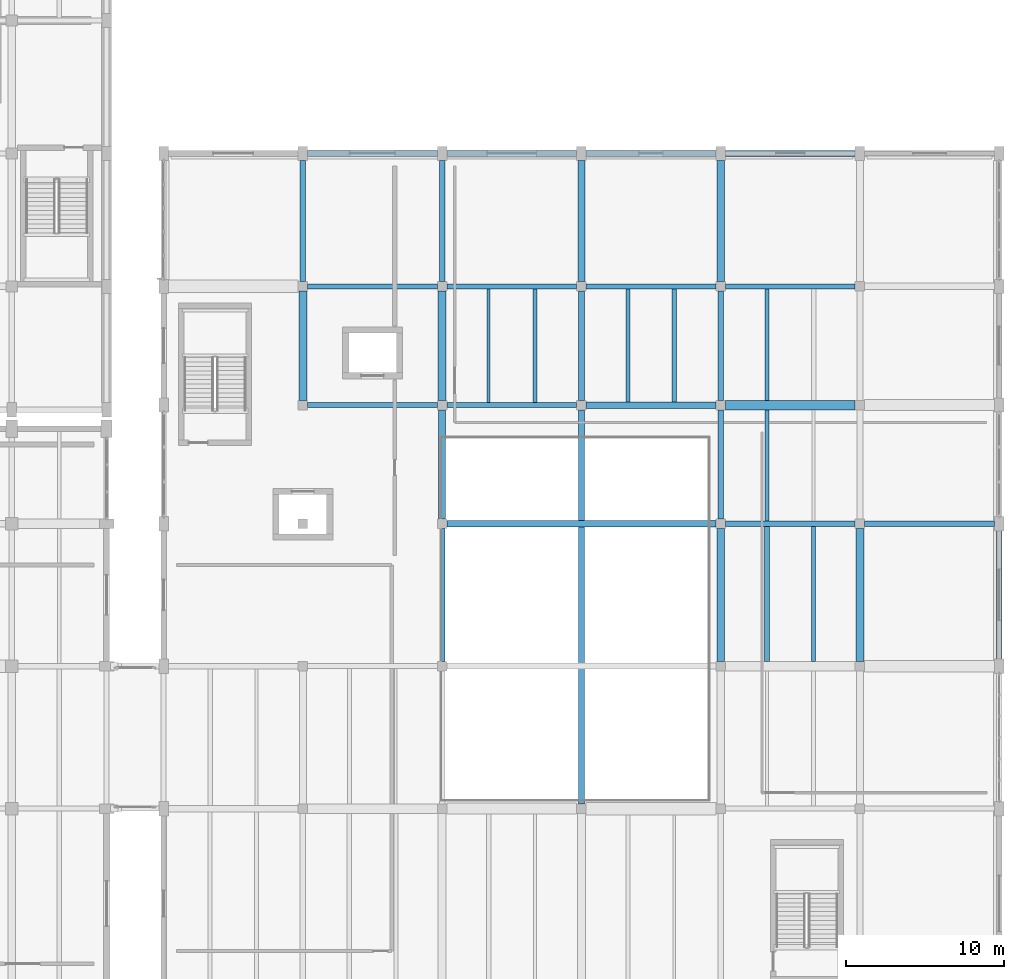
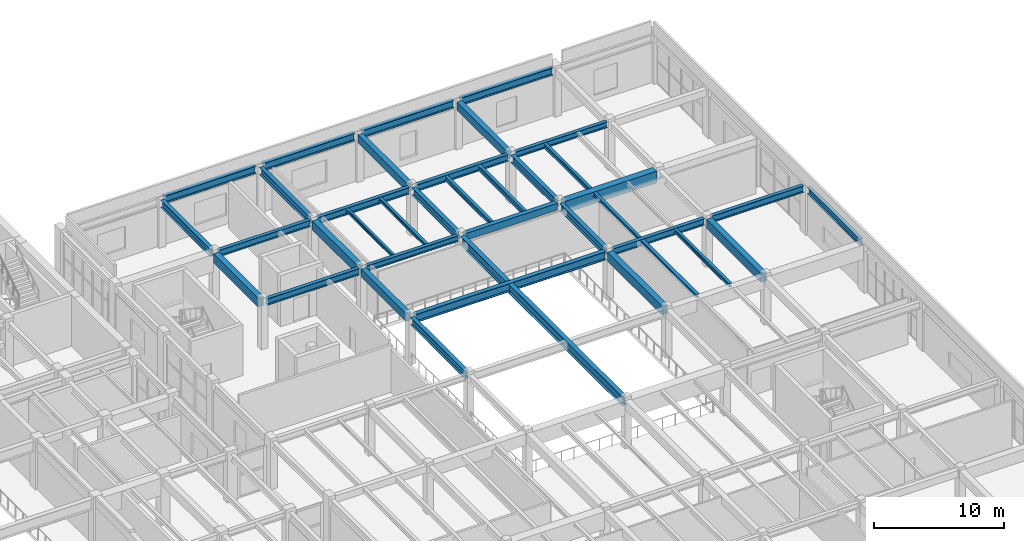
# One storey, part 58 of 96: 38 beams.
"""IFC4 building model written with IfcOpenShell, lengths in metres."""

from ifc_helpers import new_model, si_unit, direction, frame, origin, origin_2d, place, context, subcontext, project, spatial, rectangle, i_section, extrude, material, material_profile, profile_set, type_object, element, save


model = new_model("IFC4")

# Units and contexts
model_context = context("Model", 3, precision=1e-05, world=origin(), true_north=direction((0.0, 1.0)))
body_context = subcontext(model_context, "Body", "Model", "MODEL_VIEW")
ifc_project = project(units=[si_unit("LENGTHUNIT", "METRE"), si_unit("AREAUNIT", "SQUARE_METRE"), si_unit("VOLUMEUNIT", "CUBIC_METRE"), si_unit("PLANEANGLEUNIT", "RADIAN"), si_unit("MASSUNIT", "GRAM", prefix="KILO")], contexts=[model_context])

# Site, building, storey
site_placement = place(None, origin())
site = spatial("IfcSite", under=ifc_project, at=site_placement, CompositionType="ELEMENT")
building_placement = place(site_placement, origin())
building = spatial("IfcBuilding", under=site, at=building_placement, Name="Vaelkrest Opera House", CompositionType="ELEMENT")
storey_placement = place(building_placement, frame((0.0, 0.0, 5.39990234375)))
storey = spatial("IfcBuildingStorey", under=building, at=storey_placement, Name="L01", CompositionType="ELEMENT", Elevation=5.39990234375)

# Beams
ifc_material_1 = material(Name="Concrete C50/60", Category="concrete")
ifc_material_profile_1 = material_profile(ifc_material_1, rectangle(XDim=0.39990234375, YDim=0.64990234375, at=origin_2d()), Name="RCB400X650")
ifc_profile_set_1 = profile_set([ifc_material_profile_1], Name="Concrete C50/60")
beam_type_1 = type_object("IfcBeamType", Name="B01", PredefinedType="BEAM", material=ifc_profile_set_1)
beam_1_placement = place(storey_placement, frame((60.300048828125, 17.699951171875, 4.175048828125), z_axis=(1.0, 0.0, 0.0), x_axis=(0.0, 1.0, 0.0)))
element("IfcBeam", 1, at=beam_1_placement, inside=storey, type_object=beam_type_1, Name="Beam BM-V4-L01-2149", PredefinedType="BEAM", context=body_context, shape_type="SweptSolid", body=[
    extrude(rectangle(XDim=0.39990234375, YDim=0.64990234375, at=origin_2d()), origin(), (0.0, 0.0, 1.0), 8.199951171875),
])
ifc_material_profile_2 = material_profile(ifc_material_1, rectangle(XDim=0.449951171875, YDim=0.75, at=origin_2d()), Name="RCB450X750")
ifc_profile_set_2 = profile_set([ifc_material_profile_2], Name="Concrete C50/60")
beam_type_2 = type_object("IfcBeamType", Name="B02", PredefinedType="BEAM", material=ifc_profile_set_2)
beam_2_placement = place(storey_placement, frame((51.199951171875, 10.5, 4.125), z_axis=(0.0, 1.0, 0.0), x_axis=(-1.0, 0.0, 0.0)))
element("IfcBeam", 2, at=beam_2_placement, inside=storey, type_object=beam_type_2, Name="Beam BM-V4-L01-2183", PredefinedType="BEAM", context=body_context, shape_type="SweptSolid", body=[
    extrude(rectangle(XDim=0.449951171875, YDim=0.75, at=origin_2d()), origin(), (0.0, 0.0, 1.0), 6.89990234375),
])
for number, where, z_axis, x_axis, name in (
    (3, (60.0, 25.5, 4.130126953125), (0.0, 1.0, 0.0), (-1.0, 0.0, 0.0), "Beam BM-V4-L01-2191"),
    (4, (68.800048828125, 25.5, 4.130126953125), (0.0, 1.0, 0.0), (-1.0, 0.0, 0.0), "Beam BM-V4-L01-2199"),
):
    element("IfcBeam", number, at=place(storey_placement, frame(where, z_axis=z_axis, x_axis=x_axis)), inside=storey, type_object=beam_type_2, Name=name, PredefinedType="BEAM", context=body_context, shape_type="SweptSolid", body=[
        extrude(rectangle(XDim=0.449951171875, YDim=0.75, at=origin_2d()), origin(), (0.0, 0.0, 1.0), 7.64990234375),
    ])
ifc_material_profile_3 = material_profile(ifc_material_1, rectangle(XDim=0.5, YDim=0.85009765625, at=origin_2d()), Name="RCB500X850")
ifc_profile_set_3 = profile_set([ifc_material_profile_3], Name="Concrete C50/60")
beam_type_3 = type_object("IfcBeamType", Name="B03", PredefinedType="BEAM", material=ifc_profile_set_3)
for number, where, z_axis, x_axis, name in (
    (5, (42.39990234375, 18.0, 4.0751953125), (0.0, 1.0, 0.0), (-1.0, 0.0, 0.0), "Beam BM-V4-L01-2176"),
    (6, (51.199951171875, 18.0, 4.0751953125), (0.0, 1.0, 0.0), (-1.0, 0.0, 0.0), "Beam BM-V4-L01-2184"),
):
    element("IfcBeam", number, at=place(storey_placement, frame(where, z_axis=z_axis, x_axis=x_axis)), inside=storey, type_object=beam_type_3, Name=name, PredefinedType="BEAM", context=body_context, shape_type="SweptSolid", body=[
        extrude(rectangle(XDim=0.5, YDim=0.85009765625, at=origin_2d()), origin(), (0.0, 0.0, 1.0), 6.89990234375),
    ])
for number, where, z_axis, x_axis, name in (
    (7, (68.800048828125, 1.5, 4.0751953125), (0.0, 1.0, 0.0), (-1.0, 0.0, 0.0), "Beam BM-V4-L01-2196"),
    (8, (77.60009765625, 1.5, 4.0751953125), (0.0, 1.0, 0.0), (-1.0, 0.0, 0.0), "Beam BM-V4-L01-2204"),
):
    element("IfcBeam", number, at=place(storey_placement, frame(where, z_axis=z_axis, x_axis=x_axis)), inside=storey, type_object=beam_type_3, Name=name, PredefinedType="BEAM", context=body_context, shape_type="SweptSolid", body=[
        extrude(rectangle(XDim=0.5, YDim=0.85009765625, at=origin_2d()), origin(), (0.0, 0.0, 1.0), 8.39990234375),
    ])
ifc_material_profile_4 = material_profile(ifc_material_1, rectangle(XDim=0.60009765625, YDim=1.10009765625, at=origin_2d()), Name="RCB600X1100")
ifc_profile_set_4 = profile_set([ifc_material_profile_4], Name="Concrete C50/60")
beam_type_4 = type_object("IfcBeamType", Name="B05", PredefinedType="BEAM", material=ifc_profile_set_4)
beam_3_placement = place(storey_placement, frame((69.10009765625, 17.699951171875, 3.9501953125), z_axis=(1.0, 0.0, 0.0), x_axis=(0.0, 1.0, 0.0)))
element("IfcBeam", 9, at=beam_3_placement, inside=storey, type_object=beam_type_4, Name="Beam BM-V4-L01-2150", PredefinedType="BEAM", context=body_context, shape_type="SweptSolid", body=[
    extrude(rectangle(XDim=0.60009765625, YDim=1.10009765625, at=origin_2d()), origin(), (0.0, 0.0, 1.0), 8.199951171875),
])
ifc_material_2 = material(Name="Steel A992 Gr50", Category="steel")
ifc_material_profile_5 = material_profile(ifc_material_2, i_section(OverallWidth=0.323974609375, OverallDepth=0.611083984375, WebThickness=0.0126953125, FlangeThickness=0.01904296875, at=origin_2d()), Name="W24X104")
ifc_profile_set_5 = profile_set([ifc_material_profile_5], Name="Steel A992 Gr50")
beam_type_5 = type_object("IfcBeamType", Name="B08", PredefinedType="BEAM", material=ifc_profile_set_5)
for number, where, z_axis, x_axis, name in (
    (10, (69.10009765625, 10.199951171875, 4.194580078125), (1.0, 0.0, 0.0), (0.0, 1.0, 0.0), "Beam BM-V4-L01-2145"),
    (11, (42.699951171875, 25.199951171875, 4.194580078125), (1.0, 0.0, 0.0), (0.0, 1.0, 0.0), "Beam BM-V4-L01-2153"),
):
    element("IfcBeam", number, at=place(storey_placement, frame(where, z_axis=z_axis, x_axis=x_axis)), inside=storey, type_object=beam_type_5, Name=name, PredefinedType="BEAM", context=body_context, shape_type="SweptSolid", body=[
        extrude(i_section(OverallWidth=0.323974609375, OverallDepth=0.611083984375, WebThickness=0.0126953125, FlangeThickness=0.01904296875, at=origin_2d()), origin(), (0.0, 0.0, 1.0), 8.199951171875),
    ])
ifc_material_profile_6 = material_profile(ifc_material_2, i_section(OverallWidth=0.327880859375, OverallDepth=0.6279296875, WebThickness=0.0166015625, FlangeThickness=0.027587890625, at=origin_2d()), Name="W24X146")
ifc_profile_set_6 = profile_set([ifc_material_profile_6], Name="Steel A992 Gr50")
beam_type_6 = type_object("IfcBeamType", Name="B09", PredefinedType="BEAM", material=ifc_profile_set_6)
beam_4_placement = place(storey_placement, frame((77.89990234375, 10.199951171875, 4.191162109375), z_axis=(1.0, 0.0, 0.0), x_axis=(0.0, 1.0, 0.0)))
element("IfcBeam", 12, at=beam_4_placement, inside=storey, type_object=beam_type_6, Name="Beam BM-V4-L01-2146", PredefinedType="BEAM", context=body_context, shape_type="SweptSolid", body=[
    extrude(i_section(OverallWidth=0.327880859375, OverallDepth=0.6279296875, WebThickness=0.0166015625, FlangeThickness=0.027587890625, at=origin_2d()), origin(), (0.0, 0.0, 1.0), 8.2001953125),
])
beam_5_placement = place(storey_placement, frame((51.5, 25.199951171875, 4.18603515625), z_axis=(1.0, 0.0, 0.0), x_axis=(0.0, 1.0, 0.0)))
element("IfcBeam", 13, at=beam_5_placement, inside=storey, type_object=beam_type_6, Name="Beam BM-V4-L01-2154", PredefinedType="BEAM", context=body_context, shape_type="SweptSolid", body=[
    extrude(i_section(OverallWidth=0.327880859375, OverallDepth=0.6279296875, WebThickness=0.0166015625, FlangeThickness=0.027587890625, at=origin_2d()), origin(), (0.0, 0.0, 1.0), 8.199951171875),
])
ifc_material_profile_7 = material_profile(ifc_material_2, i_section(OverallWidth=0.35498046875, OverallDepth=0.695068359375, WebThickness=0.015380859375, FlangeThickness=0.02490234375, at=origin_2d()), Name="W27X146")
ifc_profile_set_7 = profile_set([ifc_material_profile_7], Name="Steel A992 Gr50")
beam_type_7 = type_object("IfcBeamType", Name="B10", PredefinedType="BEAM", material=ifc_profile_set_7)
for number, where, z_axis, x_axis, name in (
    (14, (42.39990234375, 25.5, 4.15771484375), (0.0, 1.0, 0.0), (-1.0, 0.0, 0.0), "Beam BM-V4-L01-2177"),
    (15, (51.199951171875, 25.5, 4.15771484375), (0.0, 1.0, 0.0), (-1.0, 0.0, 0.0), "Beam BM-V4-L01-2185"),
):
    element("IfcBeam", number, at=place(storey_placement, frame(where, z_axis=z_axis, x_axis=x_axis)), inside=storey, type_object=beam_type_7, Name=name, PredefinedType="BEAM", context=body_context, shape_type="SweptSolid", body=[
        extrude(i_section(OverallWidth=0.35498046875, OverallDepth=0.695068359375, WebThickness=0.015380859375, FlangeThickness=0.02490234375, at=origin_2d()), origin(), (0.0, 0.0, 1.0), 7.64990234375),
    ])
beam_6_placement = place(storey_placement, frame((68.800048828125, 10.5, 4.152587890625), z_axis=(0.0, 1.0, 0.0), x_axis=(-1.0, 0.0, 0.0)))
element("IfcBeam", 16, at=beam_6_placement, inside=storey, type_object=beam_type_7, Name="Beam BM-V4-L01-2197", PredefinedType="BEAM", context=body_context, shape_type="SweptSolid", body=[
    extrude(i_section(OverallWidth=0.35498046875, OverallDepth=0.695068359375, WebThickness=0.015380859375, FlangeThickness=0.02490234375, at=origin_2d()), origin(), (0.0, 0.0, 1.0), 6.89990234375),
])
ifc_material_profile_8 = material_profile(ifc_material_2, i_section(OverallWidth=0.39892578125, OverallDepth=0.85498046875, WebThickness=0.018310546875, FlangeThickness=0.029296875, at=origin_2d()), Name="W33X201")
ifc_profile_set_8 = profile_set([ifc_material_profile_8], Name="Steel A992 Gr50")
beam_type_8 = type_object("IfcBeamType", Name="B12", PredefinedType="BEAM", material=ifc_profile_set_8)
beam_7_placement = place(storey_placement, frame((60.0, -7.5, 4.072509765625), z_axis=(0.0, 1.0, 0.0), x_axis=(-1.0, 0.0, 0.0)))
element("IfcBeam", 17, at=beam_7_placement, inside=storey, type_object=beam_type_8, Name="Beam BM-V4-L01-2189", PredefinedType="BEAM", context=body_context, shape_type="SweptSolid", body=[
    extrude(i_section(OverallWidth=0.39892578125, OverallDepth=0.85498046875, WebThickness=0.018310546875, FlangeThickness=0.029296875, at=origin_2d()), origin(), (0.0, 0.0, 1.0), 24.89990234375),
])
ifc_material_profile_9 = material_profile(ifc_material_2, i_section(OverallWidth=0.35791015625, OverallDepth=0.7060546875, WebThickness=0.018310546875, FlangeThickness=0.0302734375, at=origin_2d()), Name="W27X178")
ifc_profile_set_9 = profile_set([ifc_material_profile_9], Name="Steel A992 Gr50")
beam_type_9 = type_object("IfcBeamType", Name="B14", PredefinedType="BEAM", material=ifc_profile_set_9)
beam_8_placement = place(storey_placement, frame((51.199951171875, 1.5, 4.147216796875), z_axis=(0.0, 1.0, 0.0), x_axis=(-1.0, 0.0, 0.0)))
element("IfcBeam", 18, at=beam_8_placement, inside=storey, type_object=beam_type_9, Name="Beam BM-V4-L01-2182", PredefinedType="BEAM", context=body_context, shape_type="SweptSolid", body=[
    extrude(i_section(OverallWidth=0.35791015625, OverallDepth=0.7060546875, WebThickness=0.018310546875, FlangeThickness=0.0302734375, at=origin_2d()), origin(), (0.0, 0.0, 1.0), 8.39990234375),
])
for number, where, z_axis, x_axis, name in (
    (19, (60.0, 18.0, 4.147216796875), (0.0, 1.0, 0.0), (-1.0, 0.0, 0.0), "Beam BM-V4-L01-2190"),
    (20, (68.800048828125, 18.0, 4.147216796875), (0.0, 1.0, 0.0), (-1.0, 0.0, 0.0), "Beam BM-V4-L01-2198"),
):
    element("IfcBeam", number, at=place(storey_placement, frame(where, z_axis=z_axis, x_axis=x_axis)), inside=storey, type_object=beam_type_9, Name=name, PredefinedType="BEAM", context=body_context, shape_type="SweptSolid", body=[
        extrude(i_section(OverallWidth=0.35791015625, OverallDepth=0.7060546875, WebThickness=0.018310546875, FlangeThickness=0.0302734375, at=origin_2d()), origin(), (0.0, 0.0, 1.0), 6.89990234375),
    ])
ifc_material_profile_10 = material_profile(ifc_material_2, i_section(OverallWidth=0.384033203125, OverallDepth=0.785888671875, WebThickness=0.019775390625, FlangeThickness=0.033447265625, at=origin_2d()), Name="W30X211")
ifc_profile_set_10 = profile_set([ifc_material_profile_10], Name="Steel A992 Gr50")
beam_type_10 = type_object("IfcBeamType", Name="B16", PredefinedType="BEAM", material=ifc_profile_set_10)
beam_9_placement = place(storey_placement, frame((51.5, 10.199951171875, 4.107177734375), z_axis=(1.0, 0.0, 0.0), x_axis=(0.0, 1.0, 0.0)))
element("IfcBeam", 21, at=beam_9_placement, inside=storey, type_object=beam_type_10, Name="Beam BM-V4-L01-2144", PredefinedType="BEAM", context=body_context, shape_type="SweptSolid", body=[
    extrude(i_section(OverallWidth=0.384033203125, OverallDepth=0.785888671875, WebThickness=0.019775390625, FlangeThickness=0.033447265625, at=origin_2d()), origin(), (0.0, 0.0, 1.0), 17.0),
])
ifc_material_profile_11 = material_profile(ifc_material_2, i_section(OverallWidth=0.326904296875, OverallDepth=0.6220703125, WebThickness=0.015380859375, FlangeThickness=0.0244140625, at=origin_2d()), Name="W24X131")
ifc_profile_set_11 = profile_set([ifc_material_profile_11], Name="Steel A992 Gr50")
beam_type_11 = type_object("IfcBeamType", Name="B19", PredefinedType="BEAM", material=ifc_profile_set_11)
for number, where, z_axis, x_axis, name in (
    (22, (42.699951171875, 17.699951171875, 4.189208984375), (1.0, 0.0, 0.0), (0.0, 1.0, 0.0), "Beam BM-V4-L01-2147"),
    (23, (60.300048828125, 25.199951171875, 4.189208984375), (1.0, 0.0, 0.0), (0.0, 1.0, 0.0), "Beam BM-V4-L01-2155"),
):
    element("IfcBeam", number, at=place(storey_placement, frame(where, z_axis=z_axis, x_axis=x_axis)), inside=storey, type_object=beam_type_11, Name=name, PredefinedType="BEAM", context=body_context, shape_type="SweptSolid", body=[
        extrude(i_section(OverallWidth=0.326904296875, OverallDepth=0.6220703125, WebThickness=0.015380859375, FlangeThickness=0.0244140625, at=origin_2d()), origin(), (0.0, 0.0, 1.0), 8.199951171875),
    ])
ifc_material_profile_12 = material_profile(ifc_material_2, i_section(OverallWidth=0.31494140625, OverallDepth=0.551025390625, WebThickness=0.01513671875, FlangeThickness=0.0244140625, at=origin_2d()), Name="W21X122")
ifc_profile_set_12 = profile_set([ifc_material_profile_12], Name="Steel A992 Gr50")
beam_type_12 = type_object("IfcBeamType", Name="B20", PredefinedType="BEAM", material=ifc_profile_set_12)
for number, where, z_axis, x_axis, name in (
    (24, (51.5, 17.699951171875, 4.224609375), (1.0, 0.0, 0.0), (0.0, 1.0, 0.0), "Beam BM-V4-L01-2148"),
    (25, (69.10009765625, 25.199951171875, 4.224609375), (1.0, 0.0, 0.0), (0.0, 1.0, 0.0), "Beam BM-V4-L01-2156"),
):
    element("IfcBeam", number, at=place(storey_placement, frame(where, z_axis=z_axis, x_axis=x_axis)), inside=storey, type_object=beam_type_12, Name=name, PredefinedType="BEAM", context=body_context, shape_type="SweptSolid", body=[
        extrude(i_section(OverallWidth=0.31494140625, OverallDepth=0.551025390625, WebThickness=0.01513671875, FlangeThickness=0.0244140625, at=origin_2d()), origin(), (0.0, 0.0, 1.0), 8.199951171875),
    ])
ifc_material_profile_13 = material_profile(ifc_material_2, i_section(OverallWidth=0.202880859375, OverallDepth=0.302978515625, WebThickness=0.007568359375, FlangeThickness=0.01318359375, at=origin_2d()), Name="W12X40")
ifc_profile_set_13 = profile_set([ifc_material_profile_13], Name="Steel A992 Gr50")
beam_type_13 = type_object("IfcBeamType", Name="J02", PredefinedType="JOIST", material=ifc_profile_set_13)
beam_10_placement = place(storey_placement, frame((54.133056640625, 17.857421875, 4.3486328125), z_axis=(0.0, 1.0, 0.0), x_axis=(-1.0, 0.0, 0.0)))
element("IfcBeam", 26, at=beam_10_placement, inside=storey, type_object=beam_type_13, Name="Floor joist JST-V4-L01-2232", PredefinedType="JOIST", context=body_context, shape_type="SweptSolid", body=[
    extrude(i_section(OverallWidth=0.202880859375, OverallDepth=0.302978515625, WebThickness=0.007568359375, FlangeThickness=0.01318359375, at=origin_2d()), origin(), (0.0, 0.0, 1.0), 7.178466796875),
])
ifc_material_profile_14 = material_profile(ifc_material_2, i_section(OverallWidth=0.25390625, OverallDepth=0.305908203125, WebThickness=0.0087890625, FlangeThickness=0.0146484375, at=origin_2d()), Name="W12X53")
ifc_profile_set_14 = profile_set([ifc_material_profile_14], Name="Steel A992 Gr50")
beam_type_14 = type_object("IfcBeamType", Name="J03", PredefinedType="JOIST", material=ifc_profile_set_14)
beam_11_placement = place(storey_placement, frame((57.06689453125, 17.857421875, 4.34716796875), z_axis=(0.0, 1.0, 0.0), x_axis=(-1.0, 0.0, 0.0)))
element("IfcBeam", 27, at=beam_11_placement, inside=storey, type_object=beam_type_14, Name="Floor joist JST-V4-L01-2233", PredefinedType="JOIST", context=body_context, shape_type="SweptSolid", body=[
    extrude(i_section(OverallWidth=0.25390625, OverallDepth=0.305908203125, WebThickness=0.0087890625, FlangeThickness=0.0146484375, at=origin_2d()), origin(), (0.0, 0.0, 1.0), 7.178466796875),
])
ifc_material_profile_15 = material_profile(ifc_material_2, i_section(OverallWidth=0.304931640625, OverallDepth=0.30810546875, WebThickness=0.010009765625, FlangeThickness=0.015380859375, at=origin_2d()), Name="W12X65")
ifc_profile_set_15 = profile_set([ifc_material_profile_15], Name="Steel A992 Gr50")
beam_type_15 = type_object("IfcBeamType", Name="J04", PredefinedType="JOIST", material=ifc_profile_set_15)
beam_12_placement = place(storey_placement, frame((71.73291015625, 1.5, 4.34619140625), z_axis=(0.0, 1.0, 0.0), x_axis=(-1.0, 0.0, 0.0)))
element("IfcBeam", 28, at=beam_12_placement, inside=storey, type_object=beam_type_15, Name="Floor joist JST-V4-L01-2244", PredefinedType="JOIST", context=body_context, shape_type="SweptSolid", body=[
    extrude(i_section(OverallWidth=0.304931640625, OverallDepth=0.30810546875, WebThickness=0.010009765625, FlangeThickness=0.015380859375, at=origin_2d()), origin(), (0.0, 0.0, 1.0), 8.5380859375),
])
ifc_material_profile_16 = material_profile(ifc_material_2, i_section(OverallWidth=0.2548828125, OverallDepth=0.35693359375, WebThickness=0.010498046875, FlangeThickness=0.018310546875, at=origin_2d()), Name="W14X68")
ifc_profile_set_16 = profile_set([ifc_material_profile_16], Name="Steel A992 Gr50")
beam_type_16 = type_object("IfcBeamType", Name="J05", PredefinedType="JOIST", material=ifc_profile_set_16)
beam_13_placement = place(storey_placement, frame((74.6669921875, 1.5, 4.321533203125), z_axis=(0.0, 1.0, 0.0), x_axis=(-1.0, 0.0, 0.0)))
element("IfcBeam", 29, at=beam_13_placement, inside=storey, type_object=beam_type_16, Name="Floor joist JST-V4-L01-2245", PredefinedType="JOIST", context=body_context, shape_type="SweptSolid", body=[
    extrude(i_section(OverallWidth=0.2548828125, OverallDepth=0.35693359375, WebThickness=0.010498046875, FlangeThickness=0.018310546875, at=origin_2d()), origin(), (0.0, 0.0, 1.0), 8.5380859375),
])
ifc_material_profile_17 = material_profile(ifc_material_2, i_section(OverallWidth=0.257080078125, OverallDepth=0.363037109375, WebThickness=0.012939453125, FlangeThickness=0.021728515625, at=origin_2d()), Name="W14X82")
ifc_profile_set_17 = profile_set([ifc_material_profile_17], Name="Steel A992 Gr50")
beam_type_17 = type_object("IfcBeamType", Name="J06", PredefinedType="JOIST", material=ifc_profile_set_17)
beam_14_placement = place(storey_placement, frame((71.73291015625, 10.362060546875, 4.318603515625), z_axis=(0.0, 1.0, 0.0), x_axis=(-1.0, 0.0, 0.0)))
element("IfcBeam", 30, at=beam_14_placement, inside=storey, type_object=beam_type_17, Name="Floor joist JST-V4-L01-2246", PredefinedType="JOIST", context=body_context, shape_type="SweptSolid", body=[
    extrude(i_section(OverallWidth=0.257080078125, OverallDepth=0.363037109375, WebThickness=0.012939453125, FlangeThickness=0.021728515625, at=origin_2d()), origin(), (0.0, 0.0, 1.0), 7.037841796875),
])
ifc_material_profile_18 = material_profile(ifc_material_2, i_section(OverallWidth=0.261962890625, OverallDepth=0.4189453125, WebThickness=0.01171875, FlangeThickness=0.019287109375, at=origin_2d()), Name="W16X77")
ifc_profile_set_18 = profile_set([ifc_material_profile_18], Name="Steel A992 Gr50")
beam_type_18 = type_object("IfcBeamType", Name="J08", PredefinedType="JOIST", material=ifc_profile_set_18)
beam_15_placement = place(storey_placement, frame((62.93310546875, 17.89990234375, 4.29052734375), z_axis=(0.0, 1.0, 0.0), x_axis=(-1.0, 0.0, 0.0)))
element("IfcBeam", 31, at=beam_15_placement, inside=storey, type_object=beam_type_18, Name="Floor joist JST-V4-L01-2238", PredefinedType="JOIST", context=body_context, shape_type="SweptSolid", body=[
    extrude(i_section(OverallWidth=0.261962890625, OverallDepth=0.4189453125, WebThickness=0.01171875, FlangeThickness=0.019287109375, at=origin_2d()), origin(), (0.0, 0.0, 1.0), 7.13671875),
])
beam_16_placement = place(storey_placement, frame((71.73291015625, 18.0, 4.29052734375), z_axis=(0.0, 1.0, 0.0), x_axis=(-1.0, 0.0, 0.0)))
element("IfcBeam", 32, at=beam_16_placement, inside=storey, type_object=beam_type_18, Name="Floor joist JST-V4-L01-2248", PredefinedType="JOIST", context=body_context, shape_type="SweptSolid", body=[
    extrude(i_section(OverallWidth=0.261962890625, OverallDepth=0.4189453125, WebThickness=0.01171875, FlangeThickness=0.019287109375, at=origin_2d()), origin(), (0.0, 0.0, 1.0), 7.04248046875),
])
ifc_material_profile_19 = material_profile(ifc_material_2, i_section(OverallWidth=0.280029296875, OverallDepth=0.462890625, WebThickness=0.0107421875, FlangeThickness=0.017333984375, at=origin_2d()), Name="W18X76")
ifc_profile_set_19 = profile_set([ifc_material_profile_19], Name="Steel A992 Gr50")
beam_type_19 = type_object("IfcBeamType", Name="J09", PredefinedType="JOIST", material=ifc_profile_set_19)
beam_17_placement = place(storey_placement, frame((65.866943359375, 17.89990234375, 4.2685546875), z_axis=(0.0, 1.0, 0.0), x_axis=(-1.0, 0.0, 0.0)))
element("IfcBeam", 33, at=beam_17_placement, inside=storey, type_object=beam_type_19, Name="Floor joist JST-V4-L01-2239", PredefinedType="JOIST", context=body_context, shape_type="SweptSolid", body=[
    extrude(i_section(OverallWidth=0.280029296875, OverallDepth=0.462890625, WebThickness=0.0107421875, FlangeThickness=0.017333984375, at=origin_2d()), origin(), (0.0, 0.0, 1.0), 7.13671875),
])
ifc_material_profile_20 = material_profile(ifc_material_2, i_section(OverallWidth=0.323974609375, OverallDepth=0.611083984375, WebThickness=0.0126953125, FlangeThickness=0.01904296875, at=origin_2d()), Name="W24X104")
ifc_profile_set_20 = profile_set([ifc_material_profile_20], Name="Steel A992 Gr50")
beam_type_20 = type_object("IfcBeamType", Name="SP01", PredefinedType="SPANDREL", material=ifc_profile_set_20)
beam_18_placement = place(storey_placement, frame((86.39990234375, 1.64990234375, 4.19970703125), z_axis=(0.0, 1.0, 0.0), x_axis=(-1.0, 0.0, 0.0)))
element("IfcBeam", 34, at=beam_18_placement, inside=storey, type_object=beam_type_20, Name="Beam BM-V4-L01-2212", PredefinedType="SPANDREL", context=body_context, shape_type="SweptSolid", body=[
    extrude(i_section(OverallWidth=0.323974609375, OverallDepth=0.611083984375, WebThickness=0.0126953125, FlangeThickness=0.01904296875, at=origin_2d()), origin(), (0.0, 0.0, 1.0), 8.10009765625),
])
ifc_material_profile_21 = material_profile(ifc_material_2, i_section(OverallWidth=0.35498046875, OverallDepth=0.695068359375, WebThickness=0.015380859375, FlangeThickness=0.02490234375, at=origin_2d()), Name="W27X146")
ifc_profile_set_21 = profile_set([ifc_material_profile_21], Name="Steel A992 Gr50")
beam_type_21 = type_object("IfcBeamType", Name="SP02", PredefinedType="SPANDREL", material=ifc_profile_set_21)
for number, where, z_axis, x_axis, name in (
    (35, (42.699951171875, 33.60009765625, 4.15771484375), (1.0, 0.0, 0.0), (0.0, 1.0, 0.0), "Beam BM-V4-L01-2159"),
    (36, (51.5, 33.60009765625, 4.15771484375), (1.0, 0.0, 0.0), (0.0, 1.0, 0.0), "Beam BM-V4-L01-2160"),
    (37, (60.300048828125, 33.60009765625, 4.15771484375), (1.0, 0.0, 0.0), (0.0, 1.0, 0.0), "Beam BM-V4-L01-2161"),
    (38, (69.10009765625, 33.60009765625, 4.15771484375), (1.0, 0.0, 0.0), (0.0, 1.0, 0.0), "Beam BM-V4-L01-2162"),
):
    element("IfcBeam", number, at=place(storey_placement, frame(where, z_axis=z_axis, x_axis=x_axis)), inside=storey, type_object=beam_type_21, Name=name, PredefinedType="SPANDREL", context=body_context, shape_type="SweptSolid", body=[
        extrude(i_section(OverallWidth=0.35498046875, OverallDepth=0.695068359375, WebThickness=0.015380859375, FlangeThickness=0.02490234375, at=origin_2d()), origin(), (0.0, 0.0, 1.0), 8.199951171875),
    ])

save(model, "model.ifc")
